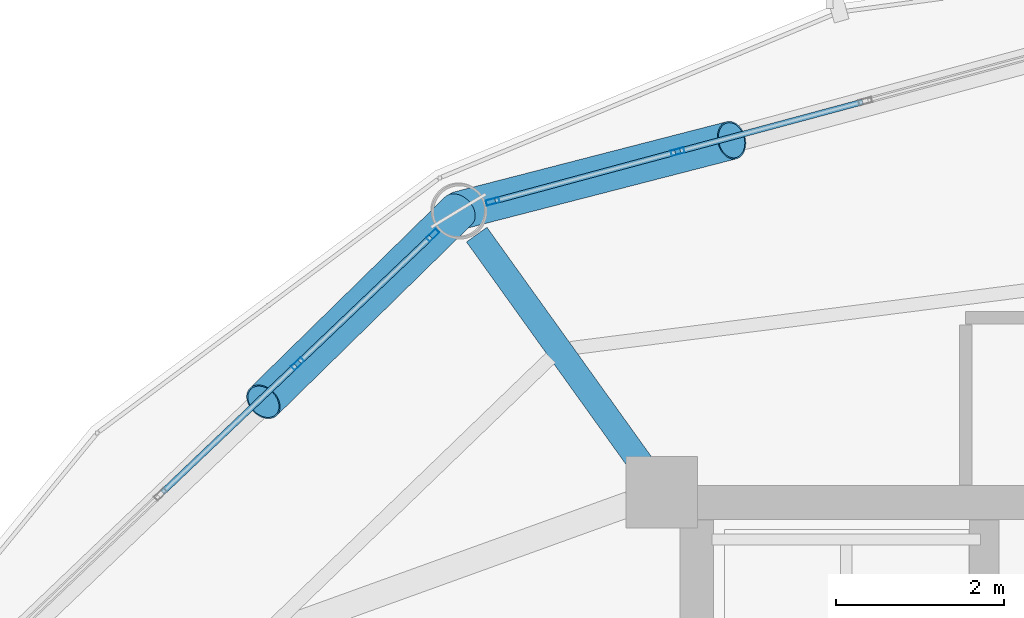
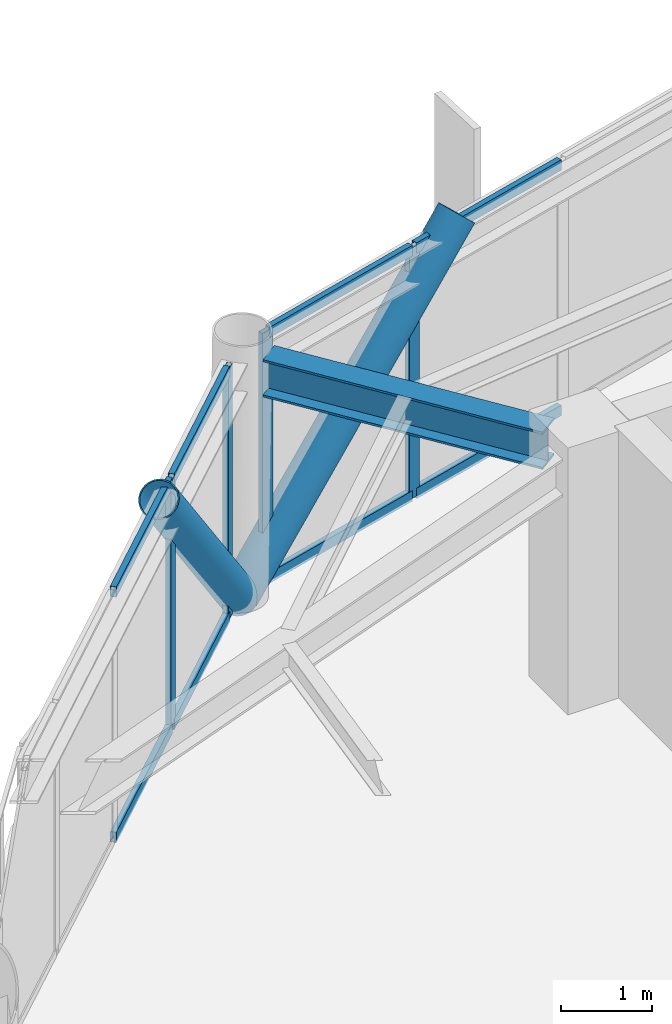
# One storey, part 18 of 28: 14 members, 1 beam, 2 elements without a shape of their own.
"""IFC4 building model written with IfcOpenShell, lengths in metres."""

from ifc_helpers import new_model, si_unit, direction, frame, origin, origin_2d, place, context, subcontext, project, spatial, hollow_rectangle, hollow_circle, i_section, extrude, material, layer, layer_set, material_profile, profile_set, type_object, element, aggregate, save


model = new_model("IFC4")

# Units and contexts
model_context = context("Model", 3, precision=1e-05, world=origin(), true_north=direction((0.0, 1.0)))
body_context = subcontext(model_context, "Body", "Model", "MODEL_VIEW")
ifc_project = project(units=[si_unit("LENGTHUNIT", "METRE"), si_unit("AREAUNIT", "SQUARE_METRE"), si_unit("VOLUMEUNIT", "CUBIC_METRE"), si_unit("PLANEANGLEUNIT", "RADIAN"), si_unit("MASSUNIT", "GRAM", prefix="KILO")], contexts=[model_context])

# Site, building, storey
site_placement = place(None, origin())
site = spatial("IfcSite", under=ifc_project, at=site_placement, CompositionType="ELEMENT")
building_placement = place(site_placement, origin())
building = spatial("IfcBuilding", under=site, at=building_placement, Name="Varnakorn Sky Granary", CompositionType="ELEMENT")
storey_placement = place(building_placement, frame((0.0, 0.0, 193.199951171875)))
storey = spatial("IfcBuildingStorey", under=building, at=storey_placement, Name="L48", CompositionType="ELEMENT", Elevation=193.199951171875)

# Beam
ifc_material_1 = material(Name="Steel S355JR", Category="steel")
ifc_material_profile_1 = material_profile(ifc_material_1, i_section(OverallWidth=0.300048828125, OverallDepth=0.5, WebThickness=0.014404296875, FlangeThickness=0.028076171875, at=origin_2d()), Name="HE 500 B")
ifc_profile_set_1 = profile_set([ifc_material_profile_1], Name="Steel S355JR")
beam_type = type_object("IfcBeamType", Name="BM-RAD-Z4", PredefinedType="BEAM", material=ifc_profile_set_1)
beam_placement = place(storey_placement, frame((-2.656005859375, 12.94921875, 3.110107421875), z_axis=(-0.582750936104, 0.8126508146, 0.0), x_axis=(-0.8126508146, -0.582750936104, 0.0)))
element("IfcBeam", 1, at=beam_placement, inside=storey, type_object=beam_type, Name="Radial Floor Girder RG05 L48", PredefinedType="BEAM", context=body_context, shape_type="SweptSolid", body=[
    extrude(i_section(OverallWidth=0.300048828125, OverallDepth=0.5, WebThickness=0.014404296875, FlangeThickness=0.028076171875, at=origin_2d()), origin(), (0.0, 0.0, 1.0), 3.37158203125),
])

# Curtain wall, members
ifc_material_2 = material(Name="Anodised Bronze Aluminium Alloy 6063-T6", Category="aluminium")
ifc_layer = layer(ifc_material_2, 0.169921875, Name="Anodised Bronze Aluminium Alloy 6063-T6")
ifc_layer_set = layer_set([ifc_layer], Name="Anodised Bronze Aluminium Alloy 6063-T6")
curtain_wall_type = type_object("IfcCurtainWallType", Name="CW-LAB-1", PredefinedType="USERDEFINED", material=ifc_layer_set)
curtain_wall_1_placement = place(storey_placement, origin())
curtain_wall_1 = element("IfcCurtainWall", 2, at=curtain_wall_1_placement, inside=storey, type_object=curtain_wall_type, Name="Unitised Curtain Wall CW5 CW-L48-B04", ObjectType="CURTAIN WALL", PredefinedType="USERDEFINED")
ifc_material_profile_2 = material_profile(ifc_material_2, hollow_rectangle(XDim=0.06494140625, YDim=0.159912109375, WallThickness=0.00341796875, at=origin_2d()), Name="ALU MULL 65x160")
ifc_profile_set_2 = profile_set([ifc_material_profile_2], Name="Anodised Bronze Aluminium Alloy 6063-T6")
member_type_1 = type_object("IfcMemberType", Name="CW-LAB-1-MULL", PredefinedType="MULLION", material=ifc_profile_set_2)
member_1_placement = place(storey_placement, frame((-4.429931640625, 16.08447265625, 0.0), z_axis=(0.0, 0.0, 1.0), x_axis=(-0.259789749164, 0.965665204007, 0.0)))
member_1 = element("IfcMember", 3, at=member_1_placement, type_object=member_type_1, Name="CW5 mullion 1", PredefinedType="MULLION", context=body_context, shape_type="SweptSolid", body=[
    extrude(hollow_rectangle(XDim=0.06494140625, YDim=0.159912109375, WallThickness=0.00341796875, at=origin_2d()), origin(), (0.0, 0.0, 1.0), 3.360107421875),
])
member_2_placement = place(storey_placement, frame((-2.227783203125, 16.677001953125, 0.0), z_axis=(0.0, 0.0, 1.0), x_axis=(-0.259789749164, 0.965665204007, 0.0)))
member_2 = element("IfcMember", 4, at=member_2_placement, type_object=member_type_1, Name="CW5 mullion 2", PredefinedType="MULLION", context=body_context, shape_type="SweptSolid", body=[
    extrude(hollow_rectangle(XDim=0.06494140625, YDim=0.159912109375, WallThickness=0.00341796875, at=origin_2d()), origin(), (0.0, 0.0, 1.0), 3.360107421875),
])

curtain_wall_2_placement = place(storey_placement, origin())
curtain_wall_2 = element("IfcCurtainWall", 5, at=curtain_wall_2_placement, inside=storey, type_object=curtain_wall_type, Name="Unitised Curtain Wall CW5 CW-L48-B05", ObjectType="CURTAIN WALL", PredefinedType="USERDEFINED")
member_3_placement = place(storey_placement, frame((-6.752197265625, 14.15234375, 0.0), z_axis=(0.0, 0.0, 1.0), x_axis=(-0.689516343161, 0.724270123996, 0.0)))
member_3 = element("IfcMember", 6, at=member_3_placement, type_object=member_type_1, Name="CW5 mullion 4", PredefinedType="MULLION", context=body_context, shape_type="SweptSolid", body=[
    extrude(hollow_rectangle(XDim=0.06494140625, YDim=0.159912109375, WallThickness=0.00341796875, at=origin_2d()), origin(), (0.0, 0.0, 1.0), 3.360107421875),
])
member_4_placement = place(storey_placement, frame((-5.14404296875, 15.683349609375, 0.0), z_axis=(0.0, 0.0, 1.0), x_axis=(-0.689516343161, 0.724270123996, 0.0)))
member_4 = element("IfcMember", 7, at=member_4_placement, type_object=member_type_1, Name="CW5 mullion 5", PredefinedType="MULLION", context=body_context, shape_type="SweptSolid", body=[
    extrude(hollow_rectangle(XDim=0.06494140625, YDim=0.159912109375, WallThickness=0.00341796875, at=origin_2d()), origin(), (0.0, 0.0, 1.0), 3.360107421875),
])

# Member
ifc_material_profile_3 = material_profile(ifc_material_2, hollow_rectangle(XDim=0.070068359375, YDim=0.139892578125, WallThickness=0.00341796875, at=origin_2d()), Name="ALU TRAN 70x140")
ifc_profile_set_3 = profile_set([ifc_material_profile_3], Name="Anodised Bronze Aluminium Alloy 6063-T6")
member_type_2 = type_object("IfcMemberType", Name="CW-LAB-1-TRAN", PredefinedType="USERDEFINED", material=ifc_profile_set_3)
member_5_placement = place(storey_placement, frame((-4.398681640625, 16.0927734375, 0.03515625), z_axis=(0.965658299658, 0.25981541198, 0.0), x_axis=(-0.25981541198, 0.965658299658, 0.0)))
member_5 = element("IfcMember", 8, at=member_5_placement, type_object=member_type_2, Name="CW5 transom 1.1", ObjectType="TRANSOM", PredefinedType="USERDEFINED", context=body_context, shape_type="SweptSolid", body=[
    extrude(hollow_rectangle(XDim=0.070068359375, YDim=0.139892578125, WallThickness=0.00341796875, at=origin_2d()), origin(), (0.0, 0.0, 1.0), 2.2158203125),
])

member_6_placement = place(storey_placement, frame((-4.398681640625, 16.0927734375, 3.324951171875), z_axis=(0.965658299658, 0.25981541198, 0.0), x_axis=(-0.25981541198, 0.965658299658, 0.0)))
member_6 = element("IfcMember", 9, at=member_6_placement, type_object=member_type_2, Name="CW5 transom 1.2", ObjectType="TRANSOM", PredefinedType="USERDEFINED", context=body_context, shape_type="SweptSolid", body=[
    extrude(hollow_rectangle(XDim=0.070068359375, YDim=0.139892578125, WallThickness=0.00341796875, at=origin_2d()), origin(), (0.0, 0.0, 1.0), 2.2158203125),
])

member_7_placement = place(storey_placement, frame((-2.1962890625, 16.685302734375, 0.03515625), z_axis=(0.96567026192, 0.259770947651, 0.0), x_axis=(-0.259770947651, 0.96567026192, 0.0)))
member_7 = element("IfcMember", 10, at=member_7_placement, type_object=member_type_2, Name="CW5 transom 2.1", ObjectType="TRANSOM", PredefinedType="USERDEFINED", context=body_context, shape_type="SweptSolid", body=[
    extrude(hollow_rectangle(XDim=0.070068359375, YDim=0.139892578125, WallThickness=0.00341796875, at=origin_2d()), origin(), (0.0, 0.0, 1.0), 2.248046875),
])

member_8_placement = place(storey_placement, frame((-2.1962890625, 16.685302734375, 3.324951171875), z_axis=(0.96567026192, 0.259770947651, 0.0), x_axis=(-0.259770947651, 0.96567026192, 0.0)))
member_8 = element("IfcMember", 11, at=member_8_placement, type_object=member_type_2, Name="CW5 transom 2.2", ObjectType="TRANSOM", PredefinedType="USERDEFINED", context=body_context, shape_type="SweptSolid", body=[
    extrude(hollow_rectangle(XDim=0.070068359375, YDim=0.139892578125, WallThickness=0.00341796875, at=origin_2d()), origin(), (0.0, 0.0, 1.0), 2.248046875),
])

aggregate(curtain_wall_1, [member_1, member_2, member_5, member_6, member_7, member_8])

member_9_placement = place(storey_placement, frame((-8.360595703125, 12.621337890625, 0.03515625), z_axis=(0.724299782659, 0.689485188268, 0.0), x_axis=(-0.689485188268, 0.724299782659, 0.0)))
member_9 = element("IfcMember", 12, at=member_9_placement, type_object=member_type_2, Name="CW5 transom 3.1", ObjectType="TRANSOM", PredefinedType="USERDEFINED", context=body_context, shape_type="SweptSolid", body=[
    extrude(hollow_rectangle(XDim=0.070068359375, YDim=0.139892578125, WallThickness=0.00341796875, at=origin_2d()), origin(), (0.0, 0.0, 1.0), 2.18798828125),
])

member_10_placement = place(storey_placement, frame((-8.360595703125, 12.621337890625, 3.324951171875), z_axis=(0.724299782659, 0.689485188268, 0.0), x_axis=(-0.689485188268, 0.724299782659, 0.0)))
member_10 = element("IfcMember", 13, at=member_10_placement, type_object=member_type_2, Name="CW5 transom 3.2", ObjectType="TRANSOM", PredefinedType="USERDEFINED", context=body_context, shape_type="SweptSolid", body=[
    extrude(hollow_rectangle(XDim=0.070068359375, YDim=0.139892578125, WallThickness=0.00341796875, at=origin_2d()), origin(), (0.0, 0.0, 1.0), 2.18798828125),
])

member_11_placement = place(storey_placement, frame((-6.728759765625, 14.1748046875, 0.03515625), z_axis=(0.724334534193, 0.689448680161, 0.0), x_axis=(-0.689448680161, 0.724334534193, 0.0)))
member_11 = element("IfcMember", 14, at=member_11_placement, type_object=member_type_2, Name="CW5 transom 4.1", ObjectType="TRANSOM", PredefinedType="USERDEFINED", context=body_context, shape_type="SweptSolid", body=[
    extrude(hollow_rectangle(XDim=0.070068359375, YDim=0.139892578125, WallThickness=0.00341796875, at=origin_2d()), origin(), (0.0, 0.0, 1.0), 2.155517578125),
])

member_12_placement = place(storey_placement, frame((-6.728759765625, 14.1748046875, 3.324951171875), z_axis=(0.724334534193, 0.689448680161, 0.0), x_axis=(-0.689448680161, 0.724334534193, 0.0)))
member_12 = element("IfcMember", 15, at=member_12_placement, type_object=member_type_2, Name="CW5 transom 4.2", ObjectType="TRANSOM", PredefinedType="USERDEFINED", context=body_context, shape_type="SweptSolid", body=[
    extrude(hollow_rectangle(XDim=0.070068359375, YDim=0.139892578125, WallThickness=0.00341796875, at=origin_2d()), origin(), (0.0, 0.0, 1.0), 2.155517578125),
])

aggregate(curtain_wall_2, [member_3, member_4, member_9, member_10, member_11, member_12])

# Members
ifc_material_3 = material(Name="Steel S460M", Category="steel")
ifc_material_profile_4 = material_profile(ifc_material_3, hollow_circle(Radius=0.228515625, WallThickness=0.01611328125, at=origin_2d()), Name="CHS 457x16")
ifc_profile_set_4 = profile_set([ifc_material_profile_4], Name="Steel S460M")
member_type_3 = type_object("IfcMemberType", Name="MB-DIAG-T3", PredefinedType="BRACE", material=ifc_profile_set_4)
member_13_placement = place(storey_placement, frame((-4.837890625, 15.974609375, 0.0), z_axis=(0.671409429135, 0.173006769336, 0.720609489413), x_axis=(-0.249526177568, 0.968368053329, 0.0)))
element("IfcMember", 16, at=member_13_placement, inside=storey, type_object=member_type_3, Name="Perimeter CHS Diagrid Brace DG04 L48", PredefinedType="BRACE", context=body_context, shape_type="SweptSolid", body=[
    extrude(hollow_circle(Radius=0.228515625, WallThickness=0.01611328125, at=origin_2d()), origin(), (0.0, 0.0, 1.0), 4.843017578125),
])
member_14_placement = place(storey_placement, frame((-4.837890625, 15.974609375, 0.0), z_axis=(-0.486902563618, -0.477075454166, 0.731659008401), x_axis=(0.699861936331, -0.714278146155, 0.0)))
element("IfcMember", 17, at=member_14_placement, inside=storey, type_object=member_type_3, Name="Perimeter CHS Diagrid Brace DG05 L48", PredefinedType="BRACE", context=body_context, shape_type="SweptSolid", body=[
    extrude(hollow_circle(Radius=0.228515625, WallThickness=0.01611328125, at=origin_2d()), origin(), (0.0, 0.0, 1.0), 4.77001953125),
])

save(model, "model.ifc")
